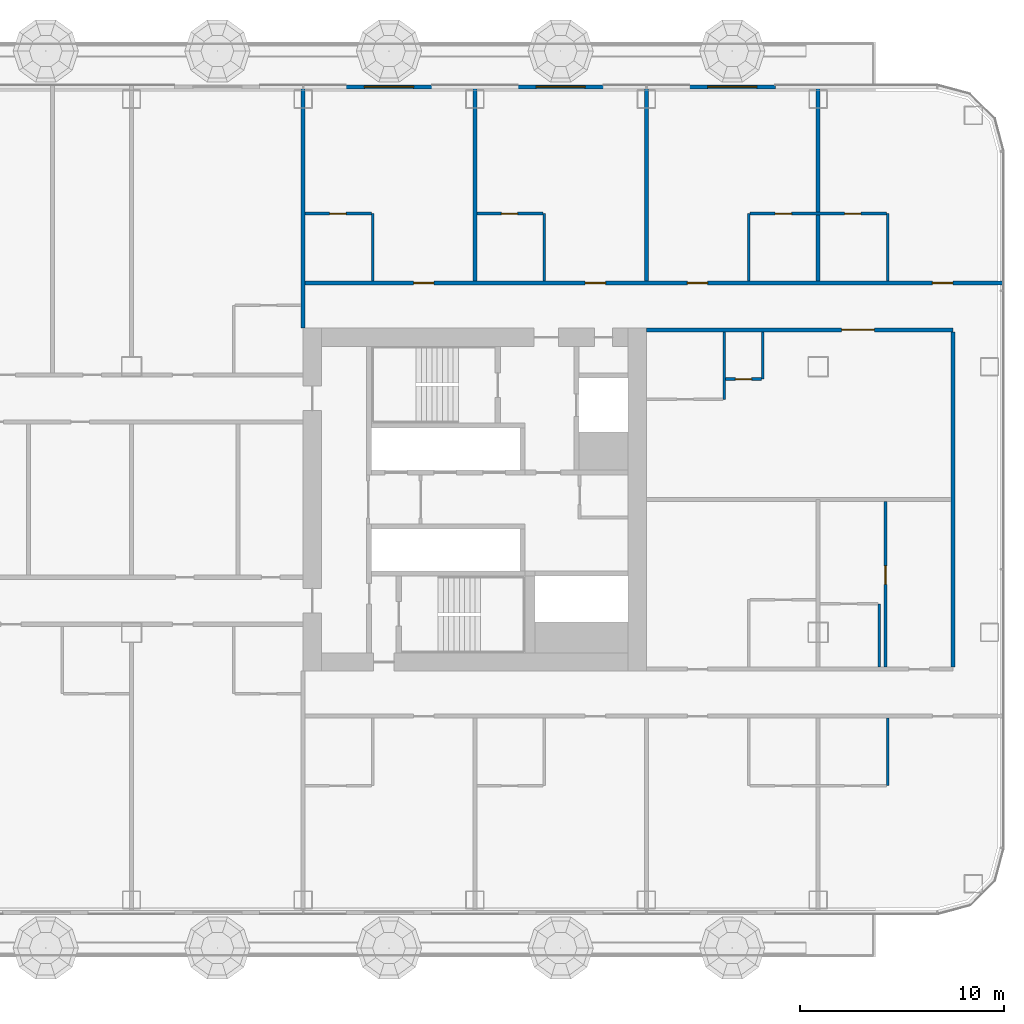
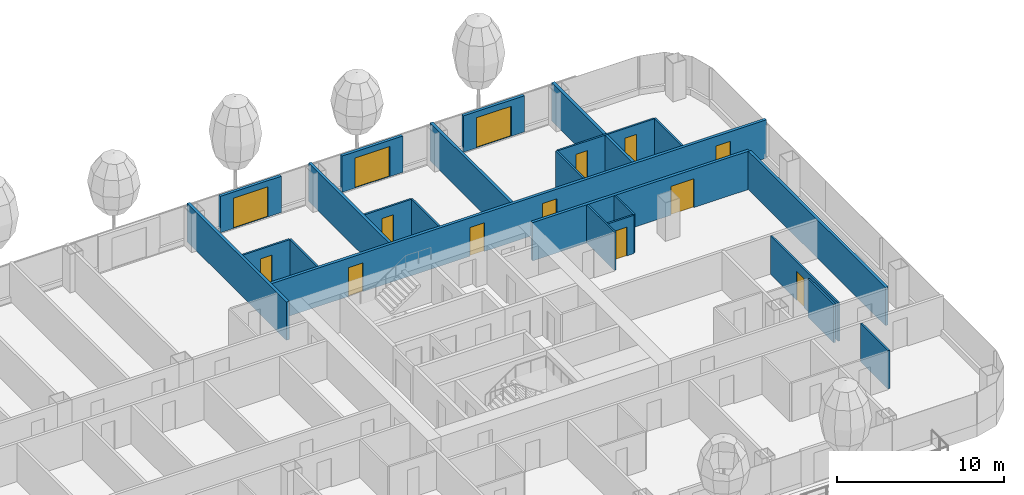
# One storey, part 19 of 35: 23 walls, 14 doors, 14 openings, 1 element without a shape of its own.
"""IFC4 building model written with IfcOpenShell, lengths in metres."""

from ifc_helpers import new_model, si_unit, direction, frame, frame_2d, origin, place, context, subcontext, project, spatial, rectangle, extrude, material, layer, layer_set, type_object, element, fill, aggregate, save


model = new_model("IFC4")

# Units and contexts
model_context = context("Model", 3, precision=1e-05, world=origin(), true_north=direction((0.0, 1.0)))
body_context = subcontext(model_context, "Body", "Model", "MODEL_VIEW")
ifc_project = project(units=[si_unit("LENGTHUNIT", "METRE"), si_unit("AREAUNIT", "SQUARE_METRE"), si_unit("VOLUMEUNIT", "CUBIC_METRE"), si_unit("PLANEANGLEUNIT", "RADIAN"), si_unit("MASSUNIT", "GRAM", prefix="KILO")], contexts=[model_context])

# Site, building, storey
site_placement = place(None, origin())
site = spatial("IfcSite", under=ifc_project, at=site_placement, CompositionType="ELEMENT")
building_placement = place(site_placement, origin())
building = spatial("IfcBuilding", under=site, at=building_placement, Name="Hakoniwa Tower and Hamabe Station Hall", CompositionType="ELEMENT")
storey_placement = place(building_placement, frame((0.0, 0.0, 51.800048828125)))
storey = spatial("IfcBuildingStorey", under=building, at=storey_placement, Name="L14", CompositionType="ELEMENT", Elevation=51.800048828125)

# Wall, opening, door
ifc_material_1 = material(Name="Gypsum board partition", Category="gypsum")
ifc_layer_1 = layer(ifc_material_1, 0.125)
ifc_layer_set_1 = layer_set([ifc_layer_1], Name="Bathroom Partition 125")
wall_type_1 = type_object("IfcWallType", Name="Bathroom Partition 125", PredefinedType="PARTITIONING", material=ifc_layer_set_1)
wall_1_placement = place(storey_placement, frame((37.46240234375, 5.89990234375, 0.0), z_axis=(0.0, 0.0, 1.0), x_axis=(1.0, 0.0, 0.0)))
wall_1 = element("IfcWall", 1, at=wall_1_placement, inside=storey, type_object=wall_type_1, Name="GW-L14-026", PredefinedType="PARTITIONING", context=body_context, shape_type="SweptSolid", body=[
    extrude(rectangle(XDim=1.775146484375, YDim=0.125, at=frame_2d((0.8876953125, 0.0))), origin(), (0.0, 0.0, 1.0), 2.800048828125),
])
opening_1_placement = place(wall_1_placement, frame((0.487548828125, 0.0, 0.0)))
opening_1 = element("IfcOpeningElement", 2, at=opening_1_placement, cuts=wall_1, Name="Opening GD-G1A2-44", PredefinedType="OPENING", context=body_context, shape_type="SweptSolid", body=[
    extrude(rectangle(XDim=0.800048828125, YDim=2.10009765625, at=frame_2d((0.39990234375, 1.050048828125))), frame((0.0, 0.072509765625, 0.0), z_axis=(0.0, -1.0, 0.0), x_axis=(1.0, 0.0, 0.0)), (0.0, 0.0, 1.0), 0.14501953125),
])
ifc_material_2 = material(Name="Timber door leaf", Category="wood")
door_type_1 = type_object("IfcDoorType", Name="Bathroom Door 800", OperationType="SINGLE_SWING_LEFT", PredefinedType="DOOR", material=ifc_material_2)
door_1_placement = place(opening_1_placement, origin())
door_1 = element("IfcDoor", 3, at=door_1_placement, inside=storey, type_object=door_type_1, Name="Door GD-G1A2-44", OperationType="SINGLE_SWING_RIGHT", OverallHeight=2.10009765625, OverallWidth=0.800048828125, PredefinedType="DOOR", context=body_context, shape_type="SweptSolid", body=[
    extrude(rectangle(XDim=0.800048828125, YDim=2.10009765625, at=frame_2d((0.39990234375, 1.050048828125))), frame((0.0, 0.02490234375, 0.0), z_axis=(0.0, -1.0, 0.0), x_axis=(1.0, 0.0, 0.0)), (0.0, 0.0, 1.0), 0.050048828125),
])
fill(opening_1, door_1)

wall_2_placement = place(storey_placement, frame((16.89990234375, 14.0, 0.0), z_axis=(0.0, 0.0, 1.0), x_axis=(1.0, 0.0, 0.0)))
wall_2 = element("IfcWall", 4, at=wall_2_placement, inside=storey, type_object=wall_type_1, Name="GW-L14-037", PredefinedType="PARTITIONING", context=body_context, shape_type="SweptSolid", body=[
    extrude(rectangle(XDim=3.237548828125, YDim=0.125, at=frame_2d((1.61865234375, 0.0))), origin(), (0.0, 0.0, 1.0), 2.800048828125),
])
opening_2_placement = place(wall_2_placement, frame((1.199951171875, 0.0, 0.0)))
opening_2 = element("IfcOpeningElement", 5, at=opening_2_placement, cuts=wall_2, Name="Opening GD-G1A2-68", PredefinedType="OPENING", context=body_context, shape_type="SweptSolid", body=[
    extrude(rectangle(XDim=0.800048828125, YDim=2.10009765625, at=frame_2d((0.39990234375, 1.050048828125))), frame((0.0, 0.072509765625, 0.0), z_axis=(0.0, -1.0, 0.0), x_axis=(1.0, 0.0, 0.0)), (0.0, 0.0, 1.0), 0.14501953125),
])
door_2_placement = place(opening_2_placement, origin())
door_2 = element("IfcDoor", 6, at=door_2_placement, inside=storey, type_object=door_type_1, Name="Door GD-G1A2-68", OperationType="SINGLE_SWING_LEFT", OverallHeight=2.10009765625, OverallWidth=0.800048828125, PredefinedType="DOOR", context=body_context, shape_type="SweptSolid", body=[
    extrude(rectangle(XDim=0.800048828125, YDim=2.10009765625, at=frame_2d((0.39990234375, 1.050048828125))), frame((0.0, 0.02490234375, 0.0), z_axis=(0.0, -1.0, 0.0), x_axis=(1.0, 0.0, 0.0)), (0.0, 0.0, 1.0), 0.050048828125),
])
fill(opening_2, door_2)

wall_3_placement = place(storey_placement, frame((25.300048828125, 14.0, 0.0), z_axis=(0.0, 0.0, 1.0), x_axis=(1.0, 0.0, 0.0)))
wall_3 = element("IfcWall", 7, at=wall_3_placement, inside=storey, type_object=wall_type_1, Name="GW-L14-038", PredefinedType="PARTITIONING", context=body_context, shape_type="SweptSolid", body=[
    extrude(rectangle(XDim=3.237548828125, YDim=0.125, at=frame_2d((1.61865234375, 0.0))), origin(), (0.0, 0.0, 1.0), 2.800048828125),
])
opening_3_placement = place(wall_3_placement, frame((1.199951171875, 0.0, 0.0)))
opening_3 = element("IfcOpeningElement", 8, at=opening_3_placement, cuts=wall_3, Name="Opening GD-G1A2-69", PredefinedType="OPENING", context=body_context, shape_type="SweptSolid", body=[
    extrude(rectangle(XDim=0.800048828125, YDim=2.10009765625, at=frame_2d((0.39990234375, 1.050048828125))), frame((0.0, 0.072509765625, 0.0), z_axis=(0.0, -1.0, 0.0), x_axis=(1.0, 0.0, 0.0)), (0.0, 0.0, 1.0), 0.14501953125),
])
door_3_placement = place(opening_3_placement, origin())
door_3 = element("IfcDoor", 9, at=door_3_placement, inside=storey, type_object=door_type_1, Name="Door GD-G1A2-69", OperationType="SINGLE_SWING_RIGHT", OverallHeight=2.10009765625, OverallWidth=0.800048828125, PredefinedType="DOOR", context=body_context, shape_type="SweptSolid", body=[
    extrude(rectangle(XDim=0.800048828125, YDim=2.10009765625, at=frame_2d((0.39990234375, 1.050048828125))), frame((0.0, 0.02490234375, 0.0), z_axis=(0.0, -1.0, 0.0), x_axis=(1.0, 0.0, 0.0)), (0.0, 0.0, 1.0), 0.050048828125),
])
fill(opening_3, door_3)

# Wall, openings, doors
wall_4_placement = place(storey_placement, frame((38.66259765625, 14.0, 0.0), z_axis=(0.0, 0.0, 1.0), x_axis=(1.0, 0.0, 0.0)))
wall_4 = element("IfcWall", 10, at=wall_4_placement, inside=storey, type_object=wall_type_1, Name="GW-L14-039", PredefinedType="PARTITIONING", context=body_context, shape_type="SweptSolid", body=[
    extrude(rectangle(XDim=6.6748046875, YDim=0.125, at=frame_2d((3.33740234375, 0.0))), origin(), (0.0, 0.0, 1.0), 2.800048828125),
])
opening_4_placement = place(wall_4_placement, frame((1.237548828125, 0.0, 0.0)))
opening_4 = element("IfcOpeningElement", 11, at=opening_4_placement, cuts=wall_4, Name="Opening GD-G1A2-70", PredefinedType="OPENING", context=body_context, shape_type="SweptSolid", body=[
    extrude(rectangle(XDim=0.800048828125, YDim=2.10009765625, at=frame_2d((0.39990234375, 1.050048828125))), frame((0.0, 0.072509765625, 0.0), z_axis=(0.0, -1.0, 0.0), x_axis=(1.0, 0.0, 0.0)), (0.0, 0.0, 1.0), 0.14501953125),
])
opening_5_placement = place(wall_4_placement, frame((4.637451171875, 0.0, 0.0)))
opening_5 = element("IfcOpeningElement", 12, at=opening_5_placement, cuts=wall_4, Name="Opening GD-G1A2-71", PredefinedType="OPENING", context=body_context, shape_type="SweptSolid", body=[
    extrude(rectangle(XDim=0.800048828125, YDim=2.10009765625, at=frame_2d((0.39990234375, 1.050048828125))), frame((0.0, 0.072509765625, 0.0), z_axis=(0.0, -1.0, 0.0), x_axis=(1.0, 0.0, 0.0)), (0.0, 0.0, 1.0), 0.14501953125),
])
door_4_placement = place(opening_4_placement, origin())
door_4 = element("IfcDoor", 13, at=door_4_placement, inside=storey, type_object=door_type_1, Name="Door GD-G1A2-70", OperationType="SINGLE_SWING_RIGHT", OverallHeight=2.10009765625, OverallWidth=0.800048828125, PredefinedType="DOOR", context=body_context, shape_type="SweptSolid", body=[
    extrude(rectangle(XDim=0.800048828125, YDim=2.10009765625, at=frame_2d((0.39990234375, 1.050048828125))), frame((0.0, 0.02490234375, 0.0), z_axis=(0.0, -1.0, 0.0), x_axis=(1.0, 0.0, 0.0)), (0.0, 0.0, 1.0), 0.050048828125),
])
fill(opening_4, door_4)
door_5_placement = place(opening_5_placement, origin())
door_5 = element("IfcDoor", 14, at=door_5_placement, inside=storey, type_object=door_type_1, Name="Door GD-G1A2-71", OperationType="SINGLE_SWING_LEFT", OverallHeight=2.10009765625, OverallWidth=0.800048828125, PredefinedType="DOOR", context=body_context, shape_type="SweptSolid", body=[
    extrude(rectangle(XDim=0.800048828125, YDim=2.10009765625, at=frame_2d((0.39990234375, 1.050048828125))), frame((0.0, 0.02490234375, 0.0), z_axis=(0.0, -1.0, 0.0), x_axis=(1.0, 0.0, 0.0)), (0.0, 0.0, 1.0), 0.050048828125),
])
fill(opening_5, door_5)

# Walls
for number, where, z_axis, x_axis, name in (
    (15, (20.199951171875, 10.699951171875, 0.0), (0.0, 0.0, 1.0), (0.0, 1.0, 0.0), "GW-L14-087"),
    (16, (28.60009765625, 10.699951171875, 0.0), (0.0, 0.0, 1.0), (0.0, 1.0, 0.0), "GW-L14-091"),
    (17, (37.39990234375, 4.89990234375, 0.0), (0.0, 0.0, 1.0), (0.0, 1.0, 0.0), "GW-L14-094"),
    (18, (38.60009765625, 10.699951171875, 0.0), (0.0, 0.0, 1.0), (0.0, 1.0, 0.0), "GW-L14-097"),
):
    element("IfcWall", number, at=place(storey_placement, frame(where, z_axis=z_axis, x_axis=x_axis)), inside=storey, type_object=wall_type_1, Name=name, PredefinedType="PARTITIONING", context=body_context, shape_type="SweptSolid", body=[
        extrude(rectangle(XDim=3.300048828125, YDim=0.125, at=frame_2d((1.64990234375, 0.0))), origin(), (0.0, 0.0, 1.0), 2.800048828125),
    ])
wall_5_placement = place(storey_placement, frame((39.300048828125, 5.89990234375, 0.0), z_axis=(0.0, 0.0, 1.0), x_axis=(0.0, 1.0, 0.0)))
element("IfcWall", 19, at=wall_5_placement, inside=storey, type_object=wall_type_1, Name="GW-L14-098", PredefinedType="PARTITIONING", context=body_context, shape_type="SweptSolid", body=[
    extrude(rectangle(XDim=2.300048828125, YDim=0.125, at=frame_2d((1.14990234375, 0.0))), origin(), (0.0, 0.0, 1.0), 2.800048828125),
])
wall_6_placement = place(storey_placement, frame((45.0, -8.199951171875, 0.0), z_axis=(0.0, 0.0, 1.0), x_axis=(0.0, 1.0, 0.0)))
element("IfcWall", 20, at=wall_6_placement, inside=storey, type_object=wall_type_1, Name="GW-L14-102", PredefinedType="PARTITIONING", context=body_context, shape_type="SweptSolid", body=[
    extrude(rectangle(XDim=3.099853515625, YDim=0.125, at=frame_2d((1.5498046875, 0.0))), origin(), (0.0, 0.0, 1.0), 2.800048828125),
])
for number, where, z_axis, x_axis, name in (
    (21, (45.39990234375, -14.0, 0.0), (0.0, 0.0, 1.0), (0.0, 1.0, 0.0), "GW-L14-104"),
    (22, (45.39990234375, 10.699951171875, 0.0), (0.0, 0.0, 1.0), (0.0, 1.0, 0.0), "GW-L14-105"),
):
    element("IfcWall", number, at=place(storey_placement, frame(where, z_axis=z_axis, x_axis=x_axis)), inside=storey, type_object=wall_type_1, Name=name, PredefinedType="PARTITIONING", context=body_context, shape_type="SweptSolid", body=[
        extrude(rectangle(XDim=3.300048828125, YDim=0.125, at=frame_2d((1.64990234375, 0.0))), origin(), (0.0, 0.0, 1.0), 2.800048828125),
    ])

# Wall, opening, door
ifc_material_3 = material(Name="Fire-rated gypsum board partition", Category="gypsum")
ifc_layer_2 = layer(ifc_material_3, 0.199951171875)
ifc_layer_set_2 = layer_set([ifc_layer_2], Name="Corridor Wall 200")
wall_type_2 = type_object("IfcWallType", Name="Corridor Wall 200", PredefinedType="PARTITIONING", material=ifc_layer_set_2)
wall_7_placement = place(storey_placement, frame((33.60009765625, 8.300048828125, 0.0), z_axis=(0.0, 0.0, 1.0), x_axis=(1.0, 0.0, 0.0)))
wall_7 = element("IfcWall", 23, at=wall_7_placement, inside=storey, type_object=wall_type_2, Name="GW-L14-029", PredefinedType="PARTITIONING", context=body_context, shape_type="SweptSolid", body=[
    extrude(rectangle(XDim=15.0, YDim=0.199951171875, at=frame_2d((7.5, 0.0))), origin(), (0.0, 0.0, 1.0), 2.800048828125),
])
opening_6_placement = place(wall_7_placement, frame((9.550048828125, 0.0, 0.0)))
opening_6 = element("IfcOpeningElement", 24, at=opening_6_placement, cuts=wall_7, Name="Opening GD-G1A2-53", PredefinedType="OPENING", context=body_context, shape_type="SweptSolid", body=[
    extrude(rectangle(XDim=1.60009765625, YDim=2.10009765625, at=frame_2d((0.800048828125, 1.050048828125))), frame((0.0, 0.10986328125, 0.0), z_axis=(0.0, -1.0, 0.0), x_axis=(1.0, 0.0, 0.0)), (0.0, 0.0, 1.0), 0.219970703125),
])
ifc_material_4 = material(Name="Timber door leaf", Category="wood")
door_type_2 = type_object("IfcDoorType", Name="Double Door 1600", OperationType="DOUBLE_DOOR_SINGLE_SWING", PredefinedType="DOOR", material=ifc_material_4)
door_6_placement = place(opening_6_placement, origin())
door_6 = element("IfcDoor", 25, at=door_6_placement, inside=storey, type_object=door_type_2, Name="Door GD-G1A2-53", OperationType="DOUBLE_DOOR_SINGLE_SWING", OverallHeight=2.10009765625, OverallWidth=1.60009765625, PredefinedType="DOOR", context=body_context, shape_type="SweptSolid", body=[
    extrude(rectangle(XDim=1.60009765625, YDim=2.10009765625, at=frame_2d((0.800048828125, 1.050048828125))), frame((0.0, 0.02490234375, 0.0), z_axis=(0.0, -1.0, 0.0), x_axis=(1.0, 0.0, 0.0)), (0.0, 0.0, 1.0), 0.050048828125),
])
fill(opening_6, door_6)

# Wall, openings, doors
wall_8_placement = place(storey_placement, frame((16.800048828125, 10.60009765625, 0.0), z_axis=(0.0, 0.0, 1.0), x_axis=(1.0, 0.0, 0.0)))
wall_8 = element("IfcWall", 26, at=wall_8_placement, inside=storey, type_object=wall_type_2, Name="GW-L14-033", PredefinedType="PARTITIONING", context=body_context, shape_type="SweptSolid", body=[
    extrude(rectangle(XDim=34.300048828125, YDim=0.199951171875, at=frame_2d((17.14990234375, 0.0))), origin(), (0.0, 0.0, 1.0), 2.800048828125),
])
opening_7_placement = place(wall_8_placement, frame((5.39990234375, 0.0, 0.0)))
opening_7 = element("IfcOpeningElement", 27, at=opening_7_placement, cuts=wall_8, Name="Opening GD-G1A2-60", PredefinedType="OPENING", context=body_context, shape_type="SweptSolid", body=[
    extrude(rectangle(XDim=1.0, YDim=2.10009765625, at=frame_2d((0.5, 1.050048828125))), frame((0.0, 0.10986328125, 0.0), z_axis=(0.0, -1.0, 0.0), x_axis=(1.0, 0.0, 0.0)), (0.0, 0.0, 1.0), 0.219970703125),
])
opening_8_placement = place(wall_8_placement, frame((13.800048828125, 0.0, 0.0)))
opening_8 = element("IfcOpeningElement", 28, at=opening_8_placement, cuts=wall_8, Name="Opening GD-G1A2-61", PredefinedType="OPENING", context=body_context, shape_type="SweptSolid", body=[
    extrude(rectangle(XDim=1.0, YDim=2.10009765625, at=frame_2d((0.5, 1.050048828125))), frame((0.0, 0.10986328125, 0.0), z_axis=(0.0, -1.0, 0.0), x_axis=(1.0, 0.0, 0.0)), (0.0, 0.0, 1.0), 0.219970703125),
])
opening_9_placement = place(wall_8_placement, frame((18.800048828125, 0.0, 0.0)))
opening_9 = element("IfcOpeningElement", 29, at=opening_9_placement, cuts=wall_8, Name="Opening GD-G1A2-62", PredefinedType="OPENING", context=body_context, shape_type="SweptSolid", body=[
    extrude(rectangle(XDim=1.0, YDim=2.10009765625, at=frame_2d((0.5, 1.050048828125))), frame((0.0, 0.10986328125, 0.0), z_axis=(0.0, -1.0, 0.0), x_axis=(1.0, 0.0, 0.0)), (0.0, 0.0, 1.0), 0.219970703125),
])
opening_10_placement = place(wall_8_placement, frame((30.800048828125, 0.0, 0.0)))
opening_10 = element("IfcOpeningElement", 30, at=opening_10_placement, cuts=wall_8, Name="Opening GD-G1A2-63", PredefinedType="OPENING", context=body_context, shape_type="SweptSolid", body=[
    extrude(rectangle(XDim=1.0, YDim=2.10009765625, at=frame_2d((0.5, 1.050048828125))), frame((0.0, 0.10986328125, 0.0), z_axis=(0.0, -1.0, 0.0), x_axis=(1.0, 0.0, 0.0)), (0.0, 0.0, 1.0), 0.219970703125),
])
ifc_material_5 = material(Name="Timber door leaf", Category="wood")
door_type_3 = type_object("IfcDoorType", Name="Guest Entrance Door 1000", OperationType="SINGLE_SWING_LEFT", PredefinedType="DOOR", material=ifc_material_5)
door_7_placement = place(opening_7_placement, origin())
door_7 = element("IfcDoor", 31, at=door_7_placement, inside=storey, type_object=door_type_3, Name="Door GD-G1A2-60", OperationType="SINGLE_SWING_RIGHT", OverallHeight=2.10009765625, OverallWidth=1.0, PredefinedType="DOOR", context=body_context, shape_type="SweptSolid", body=[
    extrude(rectangle(XDim=1.0, YDim=2.10009765625, at=frame_2d((0.5, 1.050048828125))), frame((0.0, 0.02490234375, 0.0), z_axis=(0.0, -1.0, 0.0), x_axis=(1.0, 0.0, 0.0)), (0.0, 0.0, 1.0), 0.050048828125),
])
fill(opening_7, door_7)
door_8_placement = place(opening_8_placement, origin())
door_8 = element("IfcDoor", 32, at=door_8_placement, inside=storey, type_object=door_type_3, Name="Door GD-G1A2-61", OperationType="SINGLE_SWING_LEFT", OverallHeight=2.10009765625, OverallWidth=1.0, PredefinedType="DOOR", context=body_context, shape_type="SweptSolid", body=[
    extrude(rectangle(XDim=1.0, YDim=2.10009765625, at=frame_2d((0.5, 1.050048828125))), frame((0.0, 0.02490234375, 0.0), z_axis=(0.0, -1.0, 0.0), x_axis=(1.0, 0.0, 0.0)), (0.0, 0.0, 1.0), 0.050048828125),
])
fill(opening_8, door_8)
door_9_placement = place(opening_9_placement, origin())
door_9 = element("IfcDoor", 33, at=door_9_placement, inside=storey, type_object=door_type_3, Name="Door GD-G1A2-62", OperationType="SINGLE_SWING_RIGHT", OverallHeight=2.10009765625, OverallWidth=1.0, PredefinedType="DOOR", context=body_context, shape_type="SweptSolid", body=[
    extrude(rectangle(XDim=1.0, YDim=2.10009765625, at=frame_2d((0.5, 1.050048828125))), frame((0.0, 0.02490234375, 0.0), z_axis=(0.0, -1.0, 0.0), x_axis=(1.0, 0.0, 0.0)), (0.0, 0.0, 1.0), 0.050048828125),
])
fill(opening_9, door_9)
door_10_placement = place(opening_10_placement, origin())
door_10 = element("IfcDoor", 34, at=door_10_placement, inside=storey, type_object=door_type_3, Name="Door GD-G1A2-63", OperationType="SINGLE_SWING_LEFT", OverallHeight=2.10009765625, OverallWidth=1.0, PredefinedType="DOOR", context=body_context, shape_type="SweptSolid", body=[
    extrude(rectangle(XDim=1.0, YDim=2.10009765625, at=frame_2d((0.5, 1.050048828125))), frame((0.0, 0.02490234375, 0.0), z_axis=(0.0, -1.0, 0.0), x_axis=(1.0, 0.0, 0.0)), (0.0, 0.0, 1.0), 0.050048828125),
])
fill(opening_10, door_10)

# Curtain wall, walls, openings, doors
ifc_material_6 = material(Name="Dark low-e laminated glass", Category="glass")
ifc_layer_3 = layer(ifc_material_6, 0.199951171875)
ifc_layer_set_3 = layer_set([ifc_layer_3], Name="CW-1 UNITISED GUEST")
curtain_wall_type = type_object("IfcCurtainWallType", Name="CW-1 UNITISED GUEST", PredefinedType="NOTDEFINED", material=ifc_layer_set_3)
curtain_wall_placement = place(storey_placement, origin())
curtain_wall = element("IfcCurtainWall", 35, at=curtain_wall_placement, inside=storey, type_object=curtain_wall_type, Name="CW-1 curtain wall", PredefinedType="NOTDEFINED")
ifc_material_7 = material(Name="Dark glass-faced aluminium panel", Category="aluminium")
ifc_layer_4 = layer(ifc_material_7, 0.199951171875)
ifc_layer_set_4 = layer_set([ifc_layer_4], Name="DOOR BAY WALL")
wall_type_3 = type_object("IfcWallType", Name="DOOR BAY WALL", PredefinedType="NOTDEFINED", material=ifc_layer_set_4)
wall_9_placement = place(storey_placement, frame((39.909912109375, 20.199951171875, 0.0), z_axis=(0.0, 0.0, 1.0), x_axis=(-1.0, 0.0, 0.0)))
wall_9 = element("IfcWall", 36, at=wall_9_placement, type_object=wall_type_3, Name="Door bay wall", PredefinedType="NOTDEFINED", context=body_context, shape_type="SweptSolid", body=[
    extrude(rectangle(XDim=4.219970703125, YDim=0.199951171875, at=frame_2d((2.10986328125, 0.0))), origin(), (0.0, 0.0, 1.0), 2.64990234375),
])
opening_11_placement = place(wall_9_placement, frame((0.909912109375, 0.0, 0.0)))
opening_11 = element("IfcOpeningElement", 37, at=opening_11_placement, cuts=wall_9, Name="Opening BD-N03-8", PredefinedType="OPENING", context=body_context, shape_type="SweptSolid", body=[
    extrude(rectangle(XDim=2.39990234375, YDim=2.199951171875, at=frame_2d((1.199951171875, 1.10009765625))), frame((0.0, 0.10986328125, 0.0), z_axis=(0.0, -1.0, 0.0), x_axis=(1.0, 0.0, 0.0)), (0.0, 0.0, 1.0), 0.219970703125),
])
ifc_material_8 = material(Name="Dark low-e laminated glass", Category="glass")
door_type_4 = type_object("IfcDoorType", Name="BALCONY SLIDING DOOR 2400X2200", OperationType="SLIDING_TO_LEFT", PredefinedType="DOOR", material=ifc_material_8)
door_11_placement = place(opening_11_placement, frame((2.39990234375, 0.0, 0.0), z_axis=(0.0, 0.0, 1.0), x_axis=(-1.0, 0.0, 0.0)))
door_11 = element("IfcDoor", 38, at=door_11_placement, inside=storey, type_object=door_type_4, Name="Balcony sliding door", OperationType="SLIDING_TO_LEFT", OverallHeight=2.199951171875, OverallWidth=2.39990234375, PredefinedType="DOOR", context=body_context, shape_type="SweptSolid", body=[
    extrude(rectangle(XDim=2.39990234375, YDim=2.199951171875, at=frame_2d((1.199951171875, 1.10009765625))), frame((0.0, 0.02490234375, 0.0), z_axis=(0.0, -1.0, 0.0), x_axis=(1.0, 0.0, 0.0)), (0.0, 0.0, 1.0), 0.050048828125),
])
fill(opening_11, door_11)
wall_10_placement = place(storey_placement, frame((31.510009765625, 20.199951171875, 0.0), z_axis=(0.0, 0.0, 1.0), x_axis=(-1.0, 0.0, 0.0)))
wall_10 = element("IfcWall", 39, at=wall_10_placement, type_object=wall_type_3, Name="Door bay wall", PredefinedType="NOTDEFINED", context=body_context, shape_type="SweptSolid", body=[
    extrude(rectangle(XDim=4.219970703125, YDim=0.199951171875, at=frame_2d((2.10986328125, 0.0))), origin(), (0.0, 0.0, 1.0), 2.64990234375),
])
opening_12_placement = place(wall_10_placement, frame((0.909912109375, 0.0, 0.0)))
opening_12 = element("IfcOpeningElement", 40, at=opening_12_placement, cuts=wall_10, Name="Opening BD-N03-7", PredefinedType="OPENING", context=body_context, shape_type="SweptSolid", body=[
    extrude(rectangle(XDim=2.39990234375, YDim=2.199951171875, at=frame_2d((1.199951171875, 1.10009765625))), frame((0.0, 0.10986328125, 0.0), z_axis=(0.0, -1.0, 0.0), x_axis=(1.0, 0.0, 0.0)), (0.0, 0.0, 1.0), 0.219970703125),
])
door_12_placement = place(opening_12_placement, frame((2.39990234375, 0.0, 0.0), z_axis=(0.0, 0.0, 1.0), x_axis=(-1.0, 0.0, 0.0)))
door_12 = element("IfcDoor", 41, at=door_12_placement, inside=storey, type_object=door_type_4, Name="Balcony sliding door", OperationType="SLIDING_TO_LEFT", OverallHeight=2.199951171875, OverallWidth=2.39990234375, PredefinedType="DOOR", context=body_context, shape_type="SweptSolid", body=[
    extrude(rectangle(XDim=2.39990234375, YDim=2.199951171875, at=frame_2d((1.199951171875, 1.10009765625))), frame((0.0, 0.02490234375, 0.0), z_axis=(0.0, -1.0, 0.0), x_axis=(1.0, 0.0, 0.0)), (0.0, 0.0, 1.0), 0.050048828125),
])
fill(opening_12, door_12)
wall_11_placement = place(storey_placement, frame((23.110107421875, 20.199951171875, 0.0), z_axis=(0.0, 0.0, 1.0), x_axis=(-1.0, 0.0, 0.0)))
wall_11 = element("IfcWall", 42, at=wall_11_placement, type_object=wall_type_3, Name="Door bay wall", PredefinedType="NOTDEFINED", context=body_context, shape_type="SweptSolid", body=[
    extrude(rectangle(XDim=4.22021484375, YDim=0.199951171875, at=frame_2d((2.110107421875, 0.0))), origin(), (0.0, 0.0, 1.0), 2.64990234375),
])
opening_13_placement = place(wall_11_placement, frame((0.909912109375, 0.0, 0.0)))
opening_13 = element("IfcOpeningElement", 43, at=opening_13_placement, cuts=wall_11, Name="Opening BD-N03-6", PredefinedType="OPENING", context=body_context, shape_type="SweptSolid", body=[
    extrude(rectangle(XDim=2.39990234375, YDim=2.199951171875, at=frame_2d((1.199951171875, 1.10009765625))), frame((0.0, 0.10986328125, 0.0), z_axis=(0.0, -1.0, 0.0), x_axis=(1.0, 0.0, 0.0)), (0.0, 0.0, 1.0), 0.219970703125),
])
door_13_placement = place(opening_13_placement, frame((2.39990234375, 0.0, 0.0), z_axis=(0.0, 0.0, 1.0), x_axis=(-1.0, 0.0, 0.0)))
door_13 = element("IfcDoor", 44, at=door_13_placement, inside=storey, type_object=door_type_4, Name="Balcony sliding door", OperationType="SLIDING_TO_LEFT", OverallHeight=2.199951171875, OverallWidth=2.39990234375, PredefinedType="DOOR", context=body_context, shape_type="SweptSolid", body=[
    extrude(rectangle(XDim=2.39990234375, YDim=2.199951171875, at=frame_2d((1.199951171875, 1.10009765625))), frame((0.0, 0.02490234375, 0.0), z_axis=(0.0, -1.0, 0.0), x_axis=(1.0, 0.0, 0.0)), (0.0, 0.0, 1.0), 0.050048828125),
])
fill(opening_13, door_13)
aggregate(curtain_wall, [wall_9, wall_10, wall_11])

# Walls
ifc_material_9 = material(Name="Fire-rated gypsum board partition", Category="gypsum")
ifc_layer_5 = layer(ifc_material_9, 0.199951171875)
ifc_layer_set_5 = layer_set([ifc_layer_5], Name="Party Wall 200")
wall_type_4 = type_object("IfcWallType", Name="Party Wall 200", PredefinedType="PARTITIONING", material=ifc_layer_set_5)
wall_12_placement = place(storey_placement, frame((16.800048828125, 8.389892578125, 0.0), z_axis=(0.0, 0.0, 1.0), x_axis=(0.0, 1.0, 0.0)))
element("IfcWall", 45, at=wall_12_placement, inside=storey, type_object=wall_type_4, Name="GW-L14-085", PredefinedType="PARTITIONING", context=body_context, shape_type="SweptSolid", body=[
    extrude(rectangle(XDim=11.91015625, YDim=0.199951171875, at=frame_2d((5.955078125, 0.0))), origin(), (0.0, 0.0, 1.0), 2.800048828125),
])
for number, where, z_axis, x_axis, name in (
    (46, (25.199951171875, 10.699951171875, 0.0), (0.0, 0.0, 1.0), (0.0, 1.0, 0.0), "GW-L14-089"),
    (47, (33.60009765625, 10.699951171875, 0.0), (0.0, 0.0, 1.0), (0.0, 1.0, 0.0), "GW-L14-093"),
    (48, (42.0, 10.699951171875, 0.0), (0.0, 0.0, 1.0), (0.0, 1.0, 0.0), "GW-L14-101"),
):
    element("IfcWall", number, at=place(storey_placement, frame(where, z_axis=z_axis, x_axis=x_axis)), inside=storey, type_object=wall_type_4, Name=name, PredefinedType="PARTITIONING", context=body_context, shape_type="SweptSolid", body=[
        extrude(rectangle(XDim=9.60009765625, YDim=0.199951171875, at=frame_2d((4.800048828125, 0.0))), origin(), (0.0, 0.0, 1.0), 2.800048828125),
    ])
wall_13_placement = place(storey_placement, frame((48.60009765625, -8.199951171875, 0.0), z_axis=(0.0, 0.0, 1.0), x_axis=(0.0, 1.0, 0.0)))
element("IfcWall", 49, at=wall_13_placement, inside=storey, type_object=wall_type_4, Name="GW-L14-106", PredefinedType="PARTITIONING", context=body_context, shape_type="SweptSolid", body=[
    extrude(rectangle(XDim=16.39990234375, YDim=0.199951171875, at=frame_2d((8.199951171875, 0.0))), origin(), (0.0, 0.0, 1.0), 2.800048828125),
])

# Wall, opening, door
ifc_material_10 = material(Name="Gypsum board partition", Category="gypsum")
ifc_layer_6 = layer(ifc_material_10, 0.125)
ifc_layer_set_6 = layer_set([ifc_layer_6], Name="Room Partition 125")
wall_type_5 = type_object("IfcWallType", Name="Room Partition 125", PredefinedType="PARTITIONING", material=ifc_layer_set_6)
wall_14_placement = place(storey_placement, frame((45.300048828125, -8.199951171875, 0.0), z_axis=(0.0, 0.0, 1.0), x_axis=(0.0, 1.0, 0.0)))
wall_14 = element("IfcWall", 50, at=wall_14_placement, inside=storey, type_object=wall_type_5, Name="GW-L14-103", PredefinedType="PARTITIONING", context=body_context, shape_type="SweptSolid", body=[
    extrude(rectangle(XDim=8.099853515625, YDim=0.125, at=frame_2d((4.0498046875, 0.0))), origin(), (0.0, 0.0, 1.0), 2.800048828125),
])
opening_14_placement = place(wall_14_placement, frame((4.050048828125, 0.0, 0.0)))
opening_14 = element("IfcOpeningElement", 51, at=opening_14_placement, cuts=wall_14, Name="Opening GD-G1A2-74", PredefinedType="OPENING", context=body_context, shape_type="SweptSolid", body=[
    extrude(rectangle(XDim=0.89990234375, YDim=2.10009765625, at=frame_2d((0.449951171875, 1.050048828125))), frame((0.0, 0.072509765625, 0.0), z_axis=(0.0, -1.0, 0.0), x_axis=(1.0, 0.0, 0.0)), (0.0, 0.0, 1.0), 0.14501953125),
])
ifc_material_11 = material(Name="Timber door leaf", Category="wood")
door_type_5 = type_object("IfcDoorType", Name="Suite Interior Door 900", OperationType="SINGLE_SWING_LEFT", PredefinedType="DOOR", material=ifc_material_11)
door_14_placement = place(opening_14_placement, origin())
door_14 = element("IfcDoor", 52, at=door_14_placement, inside=storey, type_object=door_type_5, Name="Door GD-G1A2-74", OperationType="SINGLE_SWING_RIGHT", OverallHeight=2.10009765625, OverallWidth=0.89990234375, PredefinedType="DOOR", context=body_context, shape_type="SweptSolid", body=[
    extrude(rectangle(XDim=0.89990234375, YDim=2.10009765625, at=frame_2d((0.449951171875, 1.050048828125))), frame((0.0, 0.02490234375, 0.0), z_axis=(0.0, -1.0, 0.0), x_axis=(1.0, 0.0, 0.0)), (0.0, 0.0, 1.0), 0.050048828125),
])
fill(opening_14, door_14)

save(model, "model.ifc")
